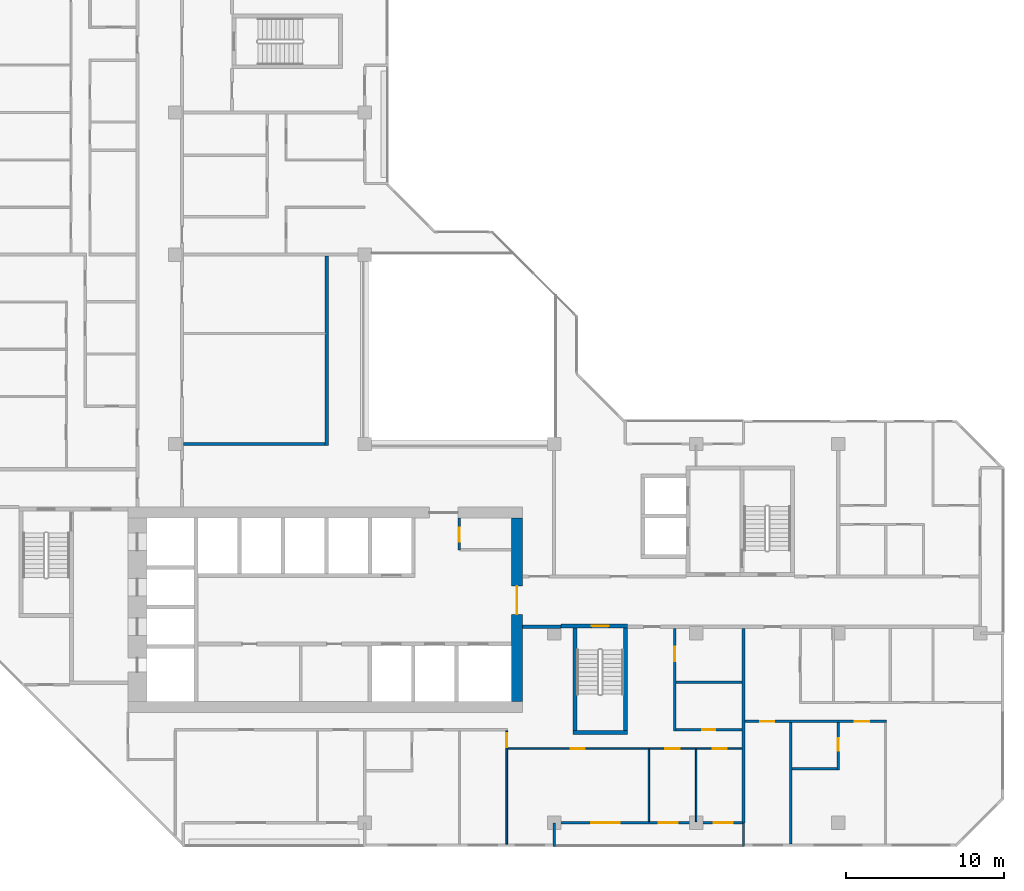
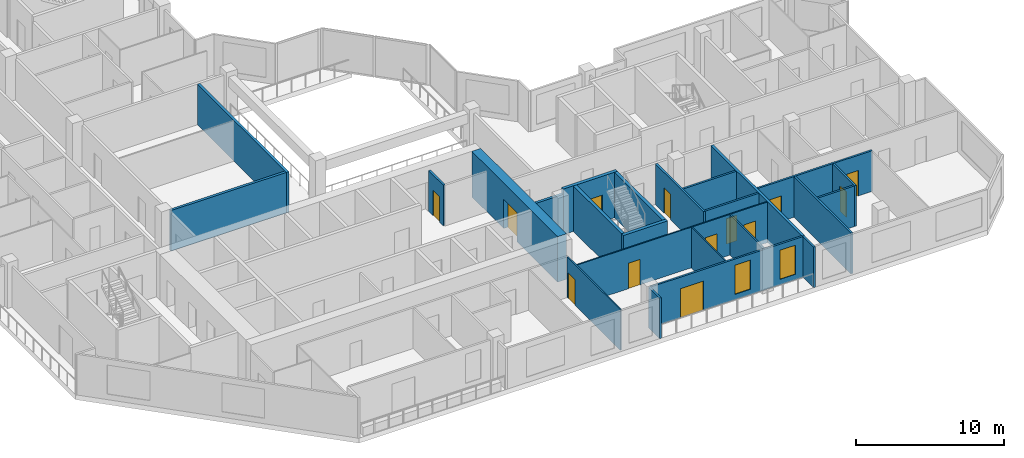
# One storey, part 6 of 15: 24 walls, 13 doors, 2 windows, 15 openings.
"""IFC4 building model written with IfcOpenShell, lengths in metres."""

from ifc_helpers import new_model, si_unit, direction, frame, frame_2d, origin, place, context, subcontext, project, spatial, rectangle, extrude, material, layer, layer_set, type_object, element, fill, save


model = new_model("IFC4")

# Units and contexts
model_context = context("Model", 3, precision=1e-05, world=origin(), true_north=direction((0.0, 1.0)))
body_context = subcontext(model_context, "Body", "Model", "MODEL_VIEW")
ifc_project = project(units=[si_unit("LENGTHUNIT", "METRE"), si_unit("AREAUNIT", "SQUARE_METRE"), si_unit("VOLUMEUNIT", "CUBIC_METRE"), si_unit("PLANEANGLEUNIT", "RADIAN"), si_unit("MASSUNIT", "GRAM", prefix="KILO")], contexts=[model_context])

# Site, building, storey
site_placement = place(None, origin())
site = spatial("IfcSite", under=ifc_project, at=site_placement, CompositionType="ELEMENT")
building_placement = place(site_placement, origin())
building = spatial("IfcBuilding", under=site, at=building_placement, Name="Chenar Terraces", CompositionType="ELEMENT")
storey_placement = place(building_placement, frame((0.0, 0.0, 249.14990234375)))
storey = spatial("IfcBuildingStorey", under=building, at=storey_placement, Name="L59", CompositionType="ELEMENT", Elevation=249.14990234375)

# Wall, opening, door
ifc_material_1 = material(Name="Gypsum board on steel studs", Category="steel")
ifc_layer_1 = layer(ifc_material_1, 0.14990234375)
ifc_layer_set_1 = layer_set([ifc_layer_1], Name="Gypsum board on steel studs")
wall_type_1 = type_object("IfcWallType", Name="Core partition 150 gypsum board", PredefinedType="PARTITIONING", material=ifc_layer_set_1)
wall_1_placement = place(storey_placement, frame((30.0, 17.300048828125, 0.0), z_axis=(0.0, 0.0, 1.0), x_axis=(0.0, 1.0, 0.0)))
wall_1 = element("IfcWall", 1, at=wall_1_placement, inside=storey, type_object=wall_type_1, Name="Core partition CP1 vestibule room west wall", PredefinedType="PARTITIONING", context=body_context, shape_type="SweptSolid", body=[
    extrude(rectangle(XDim=2.0, YDim=0.14990234375, at=frame_2d((1.0, 0.0))), origin(), (0.0, 0.0, 1.0), 3.35009765625),
])
opening_1_placement = place(wall_1_placement, frame((0.5, 0.0, 0.0)))
opening_1 = element("IfcOpeningElement", 2, at=opening_1_placement, cuts=wall_1, Name="Opening DL59-C14", PredefinedType="OPENING", context=body_context, shape_type="SweptSolid", body=[
    extrude(rectangle(XDim=0.89990234375, YDim=2.10009765625, at=frame_2d((0.449951171875, 1.050048828125))), frame((0.0, 0.0849609375, 0.0), z_axis=(0.0, -1.0, 0.0), x_axis=(1.0, 0.0, 0.0)), (0.0, 0.0, 1.0), 0.169921875),
])
ifc_material_2 = material(Name="Steel-framed fire-resisting door leaf", Category="steel")
door_type_1 = type_object("IfcDoorType", Name="Riser fire door FD60 900 x 2100", OperationType="SINGLE_SWING_LEFT", PredefinedType="DOOR", material=ifc_material_2)
door_1_placement = place(opening_1_placement, frame((0.89990234375, 0.0, 0.0), z_axis=(0.0, 0.0, 1.0), x_axis=(-1.0, 0.0, 0.0)))
door_1 = element("IfcDoor", 3, at=door_1_placement, inside=storey, type_object=door_type_1, Name="Core room door DL59-C14", OperationType="SINGLE_SWING_RIGHT", OverallHeight=2.10009765625, OverallWidth=0.89990234375, PredefinedType="DOOR", context=body_context, shape_type="SweptSolid", body=[
    extrude(rectangle(XDim=0.89990234375, YDim=2.10009765625, at=frame_2d((0.449951171875, 1.050048828125))), frame((0.0, 0.02490234375, 0.0), z_axis=(0.0, -1.0, 0.0), x_axis=(1.0, 0.0, 0.0)), (0.0, 0.0, 1.0), 0.050048828125),
])
fill(opening_1, door_1)

# Wall
ifc_material_3 = material(Name="Concrete C60/75", Category="concrete")
ifc_layer_2 = layer(ifc_material_3, 0.25)
ifc_layer_set_2 = layer_set([ifc_layer_2], Name="Concrete C60/75")
wall_type_2 = type_object("IfcWallType", Name="Core wall 250 Concrete C60/75", PredefinedType="SHEAR", material=ifc_layer_set_2)
wall_2_placement = place(storey_placement, frame((37.199951171875, 5.72509765625, 0.0), z_axis=(0.0, 0.0, 1.0), x_axis=(1.0, 0.0, 0.0)))
element("IfcWall", 4, at=wall_2_placement, inside=storey, type_object=wall_type_2, Name="Core wall ST2_S L59", PredefinedType="SHEAR", context=body_context, shape_type="SweptSolid", body=[
    extrude(rectangle(XDim=3.449951171875, YDim=0.25, at=frame_2d((1.72509765625, 0.0))), origin(), (0.0, 0.0, 1.0), 3.75),
])

# Wall, opening, door
wall_3_placement = place(storey_placement, frame((36.425048828125, 12.47509765625, 0.0), z_axis=(0.0, 0.0, 1.0), x_axis=(1.0, 0.0, 0.0)))
wall_3 = element("IfcWall", 5, at=wall_3_placement, inside=storey, type_object=wall_type_2, Name="Core wall ST2_N L59", PredefinedType="SHEAR", context=body_context, shape_type="SweptSolid", body=[
    extrude(rectangle(XDim=4.224853515625, YDim=0.25, at=frame_2d((2.1123046875, 0.0))), origin(), (0.0, 0.0, 1.0), 3.75),
])
opening_2_placement = place(wall_3_placement, frame((1.949951171875, 0.0, 0.0)))
opening_2 = element("IfcOpeningElement", 6, at=opening_2_placement, cuts=wall_3, Name="Opening DL59-C7", PredefinedType="OPENING", context=body_context, shape_type="SweptSolid", body=[
    extrude(rectangle(XDim=1.10009765625, YDim=2.199951171875, at=frame_2d((0.550048828125, 1.10009765625))), frame((0.0, 0.135009765625, 0.0), z_axis=(0.0, -1.0, 0.0), x_axis=(1.0, 0.0, 0.0)), (0.0, 0.0, 1.0), 0.27001953125),
])
ifc_material_4 = material(Name="Steel-framed fire-resisting door leaf", Category="steel")
door_type_2 = type_object("IfcDoorType", Name="Stair fire door FD60 1100 x 2200", OperationType="SINGLE_SWING_LEFT", PredefinedType="DOOR", material=ifc_material_4)
door_2_placement = place(opening_2_placement, frame((1.10009765625, 0.0, 0.0), z_axis=(0.0, 0.0, 1.0), x_axis=(-1.0, 0.0, 0.0)))
door_2 = element("IfcDoor", 7, at=door_2_placement, inside=storey, type_object=door_type_2, Name="Stair door DL59-C7", OperationType="SINGLE_SWING_LEFT", OverallHeight=2.199951171875, OverallWidth=1.10009765625, PredefinedType="DOOR", context=body_context, shape_type="SweptSolid", body=[
    extrude(rectangle(XDim=1.10009765625, YDim=2.199951171875, at=frame_2d((0.550048828125, 1.10009765625))), frame((0.0, 0.02490234375, 0.0), z_axis=(0.0, -1.0, 0.0), x_axis=(1.0, 0.0, 0.0)), (0.0, 0.0, 1.0), 0.050048828125),
])
fill(opening_2, door_2)

# Walls
for number, where, z_axis, x_axis, name in (
    (8, (37.324951171875, 5.85009765625, 0.0), (0.0, 0.0, 1.0), (0.0, 1.0, 0.0), "Core wall ST2_W L59"),
    (9, (40.52490234375, 5.85009765625, 0.0), (0.0, 0.0, 1.0), (0.0, 1.0, 0.0), "Core wall ST2_E L59"),
):
    element("IfcWall", number, at=place(storey_placement, frame(where, z_axis=z_axis, x_axis=x_axis)), inside=storey, type_object=wall_type_2, Name=name, PredefinedType="SHEAR", context=body_context, shape_type="SweptSolid", body=[
        extrude(rectangle(XDim=6.5, YDim=0.25, at=frame_2d((3.25, 0.0))), origin(), (0.0, 0.0, 1.0), 3.75),
    ])

# Wall, opening, door
ifc_material_5 = material(Name="Concrete C60/75", Category="concrete")
ifc_layer_3 = layer(ifc_material_5, 0.699951171875)
ifc_layer_set_3 = layer_set([ifc_layer_3], Name="Concrete C60/75")
wall_type_3 = type_object("IfcWallType", Name="Core wall 700 Concrete C60/75", PredefinedType="SHEAR", material=ifc_layer_set_3)
wall_4_placement = place(storey_placement, frame((33.64990234375, 7.699951171875, 0.0), z_axis=(0.0, 0.0, 1.0), x_axis=(0.0, 1.0, 0.0)))
wall_4 = element("IfcWall", 10, at=wall_4_placement, inside=storey, type_object=wall_type_3, Name="Core wall E L59", PredefinedType="SHEAR", context=body_context, shape_type="SweptSolid", body=[
    extrude(rectangle(XDim=11.60009765625, YDim=0.699951171875, at=frame_2d((5.800048828125, 0.0))), origin(), (0.0, 0.0, 1.0), 3.75),
])
opening_3_placement = place(wall_4_placement, frame((5.5, 0.0, 0.0)))
opening_3 = element("IfcOpeningElement", 11, at=opening_3_placement, cuts=wall_4, Name="Opening DL59-C1", PredefinedType="OPENING", context=body_context, shape_type="SweptSolid", body=[
    extrude(rectangle(XDim=1.800048828125, YDim=2.39990234375, at=frame_2d((0.89990234375, 1.199951171875))), frame((0.0, 0.35986328125, 0.0), z_axis=(0.0, -1.0, 0.0), x_axis=(1.0, 0.0, 0.0)), (0.0, 0.0, 1.0), 0.719970703125),
])
ifc_material_6 = material(Name="Steel-framed fire-resisting door leaf", Category="steel")
door_type_3 = type_object("IfcDoorType", Name="Core entrance double fire door FD60 1800 x 2400", OperationType="DOUBLE_DOOR_SINGLE_SWING", PredefinedType="DOOR", material=ifc_material_6)
door_3_placement = place(opening_3_placement, origin())
door_3 = element("IfcDoor", 12, at=door_3_placement, inside=storey, type_object=door_type_3, Name="Core door DL59-C1", OperationType="DOUBLE_DOOR_SINGLE_SWING", OverallHeight=2.39990234375, OverallWidth=1.800048828125, PredefinedType="DOOR", context=body_context, shape_type="SweptSolid", body=[
    extrude(rectangle(XDim=1.800048828125, YDim=2.39990234375, at=frame_2d((0.89990234375, 1.199951171875))), frame((0.0, 0.02490234375, 0.0), z_axis=(0.0, -1.0, 0.0), x_axis=(1.0, 0.0, 0.0)), (0.0, 0.0, 1.0), 0.050048828125),
])
fill(opening_3, door_3)

# Walls
ifc_material_7 = material(Name="Gypsum board on steel studs with fire boards", Category="steel")
ifc_layer_4 = layer(ifc_material_7, 0.199951171875)
ifc_layer_set_4 = layer_set([ifc_layer_4], Name="Gypsum board on steel studs with fire boards")
wall_type_4 = type_object("IfcWallType", Name="Corridor wall 200", PredefinedType="PARTITIONING", material=ifc_layer_set_4)
wall_5_placement = place(storey_placement, frame((12.52490234375, 24.0, 0.0), z_axis=(0.0, 0.0, 1.0), x_axis=(1.0, 0.0, 0.0)))
element("IfcWall", 13, at=wall_5_placement, inside=storey, type_object=wall_type_4, Name="Partition L59-037", PredefinedType="PARTITIONING", context=body_context, shape_type="SweptSolid", body=[
    extrude(rectangle(XDim=8.97509765625, YDim=0.199951171875, at=frame_2d((4.487548828125, 0.0))), origin(), (0.0, 0.0, 1.0), 3.35009765625),
])
wall_6_placement = place(storey_placement, frame((21.60009765625, 23.89990234375, 0.0), z_axis=(0.0, 0.0, 1.0), x_axis=(0.0, 1.0, 0.0)))
element("IfcWall", 14, at=wall_6_placement, inside=storey, type_object=wall_type_4, Name="Partition L59-057", PredefinedType="PARTITIONING", context=body_context, shape_type="SweptSolid", body=[
    extrude(rectangle(XDim=12.0, YDim=0.199951171875, at=frame_2d((6.0, 0.0))), origin(), (0.0, 0.0, 1.0), 3.35009765625),
])
wall_7_placement = place(storey_placement, frame((34.0, 12.425048828125, 0.0), z_axis=(0.0, 0.0, 1.0), x_axis=(1.0, 0.0, 0.0)))
element("IfcWall", 15, at=wall_7_placement, inside=storey, type_object=wall_type_4, Name="Partition L59-064", PredefinedType="PARTITIONING", context=body_context, shape_type="SweptSolid", body=[
    extrude(rectangle(XDim=2.426025390625, YDim=0.199951171875, at=frame_2d((1.212890625, 0.0))), origin(), (0.0, 0.0, 1.0), 3.35009765625),
])

# Wall, openings, windows, door
ifc_material_8 = material(Name="Aluminium framed glazing", Category="aluminium")
ifc_layer_5 = layer(ifc_material_8, 0.14990234375)
ifc_layer_set_5 = layer_set([ifc_layer_5], Name="Aluminium framed glazing")
wall_type_5 = type_object("IfcWallType", Name="Glazed loggia back wall 150", PredefinedType="SOLIDWALL", material=ifc_layer_set_5)
wall_8_placement = place(storey_placement, frame((36.074951171875, 0.0, 0.0), z_axis=(0.0, 0.0, 1.0), x_axis=(1.0, 0.0, 0.0)))
wall_8 = element("IfcWall", 16, at=wall_8_placement, inside=storey, type_object=wall_type_5, Name="Glazed loggia back wall", PredefinedType="SOLIDWALL", context=body_context, shape_type="SweptSolid", body=[
    extrude(rectangle(XDim=11.85009765625, YDim=0.14990234375, at=frame_2d((5.925048828125, 0.0))), origin(), (0.0, 0.0, 1.0), 3.35009765625),
])
opening_4_placement = place(wall_8_placement, frame((2.28759765625, 0.0, 0.0)))
opening_4 = element("IfcOpeningElement", 17, at=opening_4_placement, cuts=wall_8, Name="Opening DL59-G6", PredefinedType="OPENING", context=body_context, shape_type="SweptSolid", body=[
    extrude(rectangle(XDim=1.800048828125, YDim=2.39990234375, at=frame_2d((0.89990234375, 1.199951171875))), frame((0.0, 0.0849609375, 0.0), z_axis=(0.0, -1.0, 0.0), x_axis=(1.0, 0.0, 0.0)), (0.0, 0.0, 1.0), 0.169921875),
])
opening_5_placement = place(wall_8_placement, frame((6.5625, 0.0, 0.449951171875)))
opening_5 = element("IfcOpeningElement", 18, at=opening_5_placement, cuts=wall_8, Name="Opening W120x240", PredefinedType="OPENING", context=body_context, shape_type="SweptSolid", body=[
    extrude(rectangle(XDim=1.199951171875, YDim=2.39990234375, at=frame_2d((0.60009765625, 1.199951171875))), frame((0.0, 0.0849609375, 0.0), z_axis=(0.0, -1.0, 0.0), x_axis=(1.0, 0.0, 0.0)), (0.0, 0.0, 1.0), 0.169921875),
])
opening_6_placement = place(wall_8_placement, frame((10.050048828125, 0.0, 0.449951171875)))
opening_6 = element("IfcOpeningElement", 19, at=opening_6_placement, cuts=wall_8, Name="Opening W120x240", PredefinedType="OPENING", context=body_context, shape_type="SweptSolid", body=[
    extrude(rectangle(XDim=1.199951171875, YDim=2.39990234375, at=frame_2d((0.60009765625, 1.199951171875))), frame((0.0, 0.0849609375, 0.0), z_axis=(0.0, -1.0, 0.0), x_axis=(1.0, 0.0, 0.0)), (0.0, 0.0, 1.0), 0.169921875),
])
ifc_material_9 = material(Name="Low emissivity double glazing, aluminium frame", Category="aluminium")
window_type = type_object("IfcWindowType", Name="Fixed light 1200 x 2400", PartitioningType="SINGLE_PANEL", PredefinedType="WINDOW", material=ifc_material_9)
window_1_placement = place(opening_5_placement, origin())
window_1 = element("IfcWindow", 20, at=window_1_placement, inside=storey, type_object=window_type, Name="Window", OverallHeight=2.39990234375, OverallWidth=1.199951171875, PartitioningType="SINGLE_PANEL", PredefinedType="WINDOW", context=body_context, shape_type="SweptSolid", body=[
    extrude(rectangle(XDim=1.199951171875, YDim=2.39990234375, at=frame_2d((0.60009765625, 1.199951171875))), frame((0.0, 0.030029296875, 0.0), z_axis=(0.0, -1.0, 0.0), x_axis=(1.0, 0.0, 0.0)), (0.0, 0.0, 1.0), 0.06005859375),
])
fill(opening_5, window_1)
window_2_placement = place(opening_6_placement, origin())
window_2 = element("IfcWindow", 21, at=window_2_placement, inside=storey, type_object=window_type, Name="Window", OverallHeight=2.39990234375, OverallWidth=1.199951171875, PartitioningType="SINGLE_PANEL", PredefinedType="WINDOW", context=body_context, shape_type="SweptSolid", body=[
    extrude(rectangle(XDim=1.199951171875, YDim=2.39990234375, at=frame_2d((0.60009765625, 1.199951171875))), frame((0.0, 0.030029296875, 0.0), z_axis=(0.0, -1.0, 0.0), x_axis=(1.0, 0.0, 0.0)), (0.0, 0.0, 1.0), 0.06005859375),
])
fill(opening_6, window_2)
ifc_material_10 = material(Name="Low emissivity double glazing, aluminium frame", Category="aluminium")
door_type_4 = type_object("IfcDoorType", Name="Loggia glazed double door 1800 x 2400", OperationType="DOUBLE_DOOR_SINGLE_SWING", PredefinedType="DOOR", material=ifc_material_10)
door_4_placement = place(opening_4_placement, frame((1.800048828125, 0.0, 0.0), z_axis=(0.0, 0.0, 1.0), x_axis=(-1.0, 0.0, 0.0)))
door_4 = element("IfcDoor", 22, at=door_4_placement, inside=storey, type_object=door_type_4, Name="Loggia glazed door", OperationType="DOUBLE_DOOR_SINGLE_SWING", OverallHeight=2.39990234375, OverallWidth=1.800048828125, PredefinedType="DOOR", context=body_context, shape_type="SweptSolid", body=[
    extrude(rectangle(XDim=1.800048828125, YDim=2.39990234375, at=frame_2d((0.89990234375, 1.199951171875))), frame((0.0, 0.02490234375, 0.0), z_axis=(0.0, -1.0, 0.0), x_axis=(1.0, 0.0, 0.0)), (0.0, 0.0, 1.0), 0.050048828125),
])
fill(opening_4, door_4)

# Wall, opening, door
ifc_material_11 = material(Name="Gypsum board on steel studs", Category="steel")
ifc_layer_6 = layer(ifc_material_11, 0.10009765625)
ifc_layer_set_6 = layer_set([ifc_layer_6], Name="Gypsum board on steel studs")
wall_type_6 = type_object("IfcWallType", Name="Gypsum partition 100", PredefinedType="PARTITIONING", material=ifc_layer_set_6)
wall_9_placement = place(storey_placement, frame((33.0, -1.35009765625, 0.0), z_axis=(0.0, 0.0, 1.0), x_axis=(0.0, 1.0, 0.0)))
wall_9 = element("IfcWall", 23, at=wall_9_placement, inside=storey, type_object=wall_type_6, Name="Partition L59-062", PredefinedType="PARTITIONING", context=body_context, shape_type="SweptSolid", body=[
    extrude(rectangle(XDim=7.175048828125, YDim=0.10009765625, at=frame_2d((3.58740234375, 0.0))), origin(), (0.0, 0.0, 1.0), 3.35009765625),
])
opening_7_placement = place(wall_9_placement, frame((6.125, 0.0, 0.0)))
opening_7 = element("IfcOpeningElement", 24, at=opening_7_placement, cuts=wall_9, Name="Opening DL59-49", PredefinedType="OPENING", context=body_context, shape_type="SweptSolid", body=[
    extrude(rectangle(XDim=0.89990234375, YDim=2.10009765625, at=frame_2d((0.449951171875, 1.050048828125))), frame((0.0, 0.06005859375, 0.0), z_axis=(0.0, -1.0, 0.0), x_axis=(1.0, 0.0, 0.0)), (0.0, 0.0, 1.0), 0.1201171875),
])
ifc_material_12 = material(Name="Veneered timber door leaf", Category="wood")
door_type_5 = type_object("IfcDoorType", Name="Door 900 x 2100", OperationType="SINGLE_SWING_LEFT", PredefinedType="DOOR", material=ifc_material_12)
door_5_placement = place(opening_7_placement, origin())
door_5 = element("IfcDoor", 25, at=door_5_placement, inside=storey, type_object=door_type_5, Name="Door DL59-49", OperationType="SINGLE_SWING_RIGHT", OverallHeight=2.10009765625, OverallWidth=0.89990234375, PredefinedType="DOOR", context=body_context, shape_type="SweptSolid", body=[
    extrude(rectangle(XDim=0.89990234375, YDim=2.10009765625, at=frame_2d((0.449951171875, 1.050048828125))), frame((0.0, 0.02490234375, 0.0), z_axis=(0.0, -1.0, 0.0), x_axis=(1.0, 0.0, 0.0)), (0.0, 0.0, 1.0), 0.050048828125),
])
fill(opening_7, door_5)

# Wall, openings, doors
wall_10_placement = place(storey_placement, frame((33.050048828125, 4.699951171875, 0.0), z_axis=(0.0, 0.0, 1.0), x_axis=(1.0, 0.0, 0.0)))
wall_10 = element("IfcWall", 26, at=wall_10_placement, inside=storey, type_object=wall_type_6, Name="Partition L59-063", PredefinedType="PARTITIONING", context=body_context, shape_type="SweptSolid", body=[
    extrude(rectangle(XDim=14.849853515625, YDim=0.10009765625, at=frame_2d((7.4248046875, 0.0))), origin(), (0.0, 0.0, 1.0), 3.35009765625),
])
opening_8_placement = place(wall_10_placement, frame((10.0, 0.0, 0.0)))
opening_8 = element("IfcOpeningElement", 27, at=opening_8_placement, cuts=wall_10, Name="Opening DL59-50", PredefinedType="OPENING", context=body_context, shape_type="SweptSolid", body=[
    extrude(rectangle(XDim=0.89990234375, YDim=2.10009765625, at=frame_2d((0.449951171875, 1.050048828125))), frame((0.0, 0.06005859375, 0.0), z_axis=(0.0, -1.0, 0.0), x_axis=(1.0, 0.0, 0.0)), (0.0, 0.0, 1.0), 0.1201171875),
])
opening_9_placement = place(wall_10_placement, frame((13.0, 0.0, 0.0)))
opening_9 = element("IfcOpeningElement", 28, at=opening_9_placement, cuts=wall_10, Name="Opening DL59-51", PredefinedType="OPENING", context=body_context, shape_type="SweptSolid", body=[
    extrude(rectangle(XDim=0.89990234375, YDim=2.10009765625, at=frame_2d((0.449951171875, 1.050048828125))), frame((0.0, 0.06005859375, 0.0), z_axis=(0.0, -1.0, 0.0), x_axis=(1.0, 0.0, 0.0)), (0.0, 0.0, 1.0), 0.1201171875),
])
opening_10_placement = place(wall_10_placement, frame((4.0, 0.0, 0.0)))
opening_10 = element("IfcOpeningElement", 29, at=opening_10_placement, cuts=wall_10, Name="Opening DL59-59", PredefinedType="OPENING", context=body_context, shape_type="SweptSolid", body=[
    extrude(rectangle(XDim=0.89990234375, YDim=2.10009765625, at=frame_2d((0.449951171875, 1.050048828125))), frame((0.0, 0.06005859375, 0.0), z_axis=(0.0, -1.0, 0.0), x_axis=(1.0, 0.0, 0.0)), (0.0, 0.0, 1.0), 0.1201171875),
])
door_6_placement = place(opening_8_placement, frame((0.89990234375, 0.0, 0.0), z_axis=(0.0, 0.0, 1.0), x_axis=(-1.0, 0.0, 0.0)))
door_6 = element("IfcDoor", 30, at=door_6_placement, inside=storey, type_object=door_type_5, Name="Door DL59-50", OperationType="SINGLE_SWING_LEFT", OverallHeight=2.10009765625, OverallWidth=0.89990234375, PredefinedType="DOOR", context=body_context, shape_type="SweptSolid", body=[
    extrude(rectangle(XDim=0.89990234375, YDim=2.10009765625, at=frame_2d((0.449951171875, 1.050048828125))), frame((0.0, 0.02490234375, 0.0), z_axis=(0.0, -1.0, 0.0), x_axis=(1.0, 0.0, 0.0)), (0.0, 0.0, 1.0), 0.050048828125),
])
fill(opening_8, door_6)
door_7_placement = place(opening_9_placement, frame((0.89990234375, 0.0, 0.0), z_axis=(0.0, 0.0, 1.0), x_axis=(-1.0, 0.0, 0.0)))
door_7 = element("IfcDoor", 31, at=door_7_placement, inside=storey, type_object=door_type_5, Name="Door DL59-51", OperationType="SINGLE_SWING_LEFT", OverallHeight=2.10009765625, OverallWidth=0.89990234375, PredefinedType="DOOR", context=body_context, shape_type="SweptSolid", body=[
    extrude(rectangle(XDim=0.89990234375, YDim=2.10009765625, at=frame_2d((0.449951171875, 1.050048828125))), frame((0.0, 0.02490234375, 0.0), z_axis=(0.0, -1.0, 0.0), x_axis=(1.0, 0.0, 0.0)), (0.0, 0.0, 1.0), 0.050048828125),
])
fill(opening_9, door_7)
door_8_placement = place(opening_10_placement, frame((0.89990234375, 0.0, 0.0), z_axis=(0.0, 0.0, 1.0), x_axis=(-1.0, 0.0, 0.0)))
door_8 = element("IfcDoor", 32, at=door_8_placement, inside=storey, type_object=door_type_5, Name="Door DL59-59", OperationType="SINGLE_SWING_LEFT", OverallHeight=2.10009765625, OverallWidth=0.89990234375, PredefinedType="DOOR", context=body_context, shape_type="SweptSolid", body=[
    extrude(rectangle(XDim=0.89990234375, YDim=2.10009765625, at=frame_2d((0.449951171875, 1.050048828125))), frame((0.0, 0.02490234375, 0.0), z_axis=(0.0, -1.0, 0.0), x_axis=(1.0, 0.0, 0.0)), (0.0, 0.0, 1.0), 0.050048828125),
])
fill(opening_10, door_8)

# Walls
for number, where, z_axis, x_axis, name in (
    (33, (42.0, 0.073974609375, 0.0), (0.0, 0.0, 1.0), (0.0, 1.0, 0.0), "Partition L59-068"),
    (34, (45.0, 0.073974609375, 0.0), (0.0, 0.0, 1.0), (0.0, 1.0, 0.0), "Partition L59-072"),
):
    element("IfcWall", number, at=place(storey_placement, frame(where, z_axis=z_axis, x_axis=x_axis)), inside=storey, type_object=wall_type_6, Name=name, PredefinedType="PARTITIONING", context=body_context, shape_type="SweptSolid", body=[
        extrude(rectangle(XDim=4.575927734375, YDim=0.10009765625, at=frame_2d((2.2880859375, 0.0))), origin(), (0.0, 0.0, 1.0), 3.35009765625),
    ])
ifc_material_13 = material(Name="Terracotta cladding on insulated backing", Category="masonry")
ifc_layer_7 = layer(ifc_material_13, 0.14990234375)
ifc_layer_set_7 = layer_set([ifc_layer_7], Name="Terracotta cladding on insulated backing")
wall_type_7 = type_object("IfcWallType", Name="Loggia return wall 150", PredefinedType="SOLIDWALL", material=ifc_layer_set_7)
for number, where, z_axis, x_axis, name in (
    (35, (36.0, -1.5, 0.0), (0.0, 0.0, 1.0), (0.0, 1.0, 0.0), "Loggia return wall"),
    (36, (48.0, -1.5, 0.0), (0.0, 0.0, 1.0), (0.0, 1.0, 0.0), "Loggia return wall"),
):
    element("IfcWall", number, at=place(storey_placement, frame(where, z_axis=z_axis, x_axis=x_axis)), inside=storey, type_object=wall_type_7, Name=name, PredefinedType="SOLIDWALL", context=body_context, shape_type="SweptSolid", body=[
        extrude(rectangle(XDim=1.5, YDim=0.14990234375, at=frame_2d((0.75, 0.0))), origin(), (0.0, 0.0, 1.0), 3.35009765625),
    ])
ifc_material_14 = material(Name="Twin gypsum board on steel studs with mineral wool", Category="steel")
ifc_layer_8 = layer(ifc_material_14, 0.199951171875)
ifc_layer_set_8 = layer_set([ifc_layer_8], Name="Twin gypsum board on steel studs with mineral wool")
wall_type_8 = type_object("IfcWallType", Name="Unit demising wall 200", PredefinedType="PARTITIONING", material=ifc_layer_set_8)
wall_11_placement = place(storey_placement, frame((48.0, 0.0, 0.0), z_axis=(0.0, 0.0, 1.0), x_axis=(0.0, 1.0, 0.0)))
element("IfcWall", 37, at=wall_11_placement, inside=storey, type_object=wall_type_8, Name="Partition L59-074", PredefinedType="PARTITIONING", context=body_context, shape_type="SweptSolid", body=[
    extrude(rectangle(XDim=12.324951171875, YDim=0.199951171875, at=frame_2d((6.16259765625, 0.0))), origin(), (0.0, 0.0, 1.0), 3.35009765625),
])

# Wall, opening, door
ifc_material_15 = material(Name="Moisture-resistant gypsum board on steel studs", Category="steel")
ifc_layer_9 = layer(ifc_material_15, 0.14990234375)
ifc_layer_set_9 = layer_set([ifc_layer_9], Name="Moisture-resistant gypsum board on steel studs")
wall_type_9 = type_object("IfcWallType", Name="Wet-room partition 150", PredefinedType="PARTITIONING", material=ifc_layer_set_9)
wall_12_placement = place(storey_placement, frame((43.64990234375, 5.824951171875, 0.0), z_axis=(0.0, 0.0, 1.0), x_axis=(0.0, 1.0, 0.0)))
wall_12 = element("IfcWall", 38, at=wall_12_placement, inside=storey, type_object=wall_type_9, Name="Partition L59-069", PredefinedType="PARTITIONING", context=body_context, shape_type="SweptSolid", body=[
    extrude(rectangle(XDim=6.5, YDim=0.14990234375, at=frame_2d((3.25, 0.0))), origin(), (0.0, 0.0, 1.0), 3.35009765625),
])
opening_11_placement = place(wall_12_placement, frame((4.425048828125, 0.0, 0.0)))
opening_11 = element("IfcOpeningElement", 39, at=opening_11_placement, cuts=wall_12, Name="Opening DL59-57", PredefinedType="OPENING", context=body_context, shape_type="SweptSolid", body=[
    extrude(rectangle(XDim=0.89990234375, YDim=2.10009765625, at=frame_2d((0.449951171875, 1.050048828125))), frame((0.0, 0.0849609375, 0.0), z_axis=(0.0, -1.0, 0.0), x_axis=(1.0, 0.0, 0.0)), (0.0, 0.0, 1.0), 0.169921875),
])
door_9_placement = place(opening_11_placement, frame((0.89990234375, 0.0, 0.0), z_axis=(0.0, 0.0, 1.0), x_axis=(-1.0, 0.0, 0.0)))
door_9 = element("IfcDoor", 40, at=door_9_placement, inside=storey, type_object=door_type_5, Name="Door DL59-57", OperationType="SINGLE_SWING_LEFT", OverallHeight=2.10009765625, OverallWidth=0.89990234375, PredefinedType="DOOR", context=body_context, shape_type="SweptSolid", body=[
    extrude(rectangle(XDim=0.89990234375, YDim=2.10009765625, at=frame_2d((0.449951171875, 1.050048828125))), frame((0.0, 0.02490234375, 0.0), z_axis=(0.0, -1.0, 0.0), x_axis=(1.0, 0.0, 0.0)), (0.0, 0.0, 1.0), 0.050048828125),
])
fill(opening_11, door_9)

wall_13_placement = place(storey_placement, frame((43.72509765625, 5.89990234375, 0.0), z_axis=(0.0, 0.0, 1.0), x_axis=(1.0, 0.0, 0.0)))
wall_13 = element("IfcWall", 41, at=wall_13_placement, inside=storey, type_object=wall_type_9, Name="Partition L59-070", PredefinedType="PARTITIONING", context=body_context, shape_type="SweptSolid", body=[
    extrude(rectangle(XDim=4.1748046875, YDim=0.14990234375, at=frame_2d((2.08740234375, 0.0))), origin(), (0.0, 0.0, 1.0), 3.35009765625),
])
opening_12_placement = place(wall_13_placement, frame((1.675048828125, 0.0, 0.0)))
opening_12 = element("IfcOpeningElement", 42, at=opening_12_placement, cuts=wall_13, Name="Opening DL59-47", PredefinedType="OPENING", context=body_context, shape_type="SweptSolid", body=[
    extrude(rectangle(XDim=0.800048828125, YDim=2.10009765625, at=frame_2d((0.39990234375, 1.050048828125))), frame((0.0, 0.0849609375, 0.0), z_axis=(0.0, -1.0, 0.0), x_axis=(1.0, 0.0, 0.0)), (0.0, 0.0, 1.0), 0.169921875),
])
ifc_material_16 = material(Name="Veneered timber door leaf", Category="wood")
door_type_6 = type_object("IfcDoorType", Name="Door 800 x 2100", OperationType="SINGLE_SWING_LEFT", PredefinedType="DOOR", material=ifc_material_16)
door_10_placement = place(opening_12_placement, origin())
door_10 = element("IfcDoor", 43, at=door_10_placement, inside=storey, type_object=door_type_6, Name="Door DL59-47", OperationType="SINGLE_SWING_LEFT", OverallHeight=2.10009765625, OverallWidth=0.800048828125, PredefinedType="DOOR", context=body_context, shape_type="SweptSolid", body=[
    extrude(rectangle(XDim=0.800048828125, YDim=2.10009765625, at=frame_2d((0.39990234375, 1.050048828125))), frame((0.0, 0.02490234375, 0.0), z_axis=(0.0, -1.0, 0.0), x_axis=(1.0, 0.0, 0.0)), (0.0, 0.0, 1.0), 0.050048828125),
])
fill(opening_12, door_10)

# Wall
wall_14_placement = place(storey_placement, frame((43.72509765625, 8.89990234375, 0.0), z_axis=(0.0, 0.0, 1.0), x_axis=(1.0, 0.0, 0.0)))
element("IfcWall", 44, at=wall_14_placement, inside=storey, type_object=wall_type_9, Name="Partition L59-071", PredefinedType="PARTITIONING", context=body_context, shape_type="SweptSolid", body=[
    extrude(rectangle(XDim=4.1748046875, YDim=0.14990234375, at=frame_2d((2.08740234375, 0.0))), origin(), (0.0, 0.0, 1.0), 3.35009765625),
])

# Wall, openings, doors
wall_15_placement = place(storey_placement, frame((48.10009765625, 6.425048828125, 0.0), z_axis=(0.0, 0.0, 1.0), x_axis=(1.0, 0.0, 0.0)))
wall_15 = element("IfcWall", 45, at=wall_15_placement, inside=storey, type_object=wall_type_9, Name="Partition L59-075", PredefinedType="PARTITIONING", context=body_context, shape_type="SweptSolid", body=[
    extrude(rectangle(XDim=8.949951171875, YDim=0.14990234375, at=frame_2d((4.47509765625, 0.0))), origin(), (0.0, 0.0, 1.0), 3.35009765625),
])
opening_13_placement = place(wall_15_placement, frame((0.949951171875, 0.0, 0.0)))
opening_13 = element("IfcOpeningElement", 46, at=opening_13_placement, cuts=wall_15, Name="Opening DL59-10", PredefinedType="OPENING", context=body_context, shape_type="SweptSolid", body=[
    extrude(rectangle(XDim=0.89990234375, YDim=2.10009765625, at=frame_2d((0.449951171875, 1.050048828125))), frame((0.0, 0.0849609375, 0.0), z_axis=(0.0, -1.0, 0.0), x_axis=(1.0, 0.0, 0.0)), (0.0, 0.0, 1.0), 0.169921875),
])
opening_14_placement = place(wall_15_placement, frame((6.949951171875, 0.0, 0.0)))
opening_14 = element("IfcOpeningElement", 47, at=opening_14_placement, cuts=wall_15, Name="Opening DL59-11", PredefinedType="OPENING", context=body_context, shape_type="SweptSolid", body=[
    extrude(rectangle(XDim=0.89990234375, YDim=2.10009765625, at=frame_2d((0.449951171875, 1.050048828125))), frame((0.0, 0.0849609375, 0.0), z_axis=(0.0, -1.0, 0.0), x_axis=(1.0, 0.0, 0.0)), (0.0, 0.0, 1.0), 0.169921875),
])
door_11_placement = place(opening_13_placement, frame((0.89990234375, 0.0, 0.0), z_axis=(0.0, 0.0, 1.0), x_axis=(-1.0, 0.0, 0.0)))
door_11 = element("IfcDoor", 48, at=door_11_placement, inside=storey, type_object=door_type_5, Name="Door DL59-10", OperationType="SINGLE_SWING_LEFT", OverallHeight=2.10009765625, OverallWidth=0.89990234375, PredefinedType="DOOR", context=body_context, shape_type="SweptSolid", body=[
    extrude(rectangle(XDim=0.89990234375, YDim=2.10009765625, at=frame_2d((0.449951171875, 1.050048828125))), frame((0.0, 0.02490234375, 0.0), z_axis=(0.0, -1.0, 0.0), x_axis=(1.0, 0.0, 0.0)), (0.0, 0.0, 1.0), 0.050048828125),
])
fill(opening_13, door_11)
door_12_placement = place(opening_14_placement, frame((0.89990234375, 0.0, 0.0), z_axis=(0.0, 0.0, 1.0), x_axis=(-1.0, 0.0, 0.0)))
door_12 = element("IfcDoor", 49, at=door_12_placement, inside=storey, type_object=door_type_5, Name="Door DL59-11", OperationType="SINGLE_SWING_LEFT", OverallHeight=2.10009765625, OverallWidth=0.89990234375, PredefinedType="DOOR", context=body_context, shape_type="SweptSolid", body=[
    extrude(rectangle(XDim=0.89990234375, YDim=2.10009765625, at=frame_2d((0.449951171875, 1.050048828125))), frame((0.0, 0.02490234375, 0.0), z_axis=(0.0, -1.0, 0.0), x_axis=(1.0, 0.0, 0.0)), (0.0, 0.0, 1.0), 0.050048828125),
])
fill(opening_14, door_12)

# Walls
wall_16_placement = place(storey_placement, frame((51.0, -1.35107421875, 0.0), z_axis=(0.0, 0.0, 1.0), x_axis=(0.0, 1.0, 0.0)))
element("IfcWall", 50, at=wall_16_placement, inside=storey, type_object=wall_type_9, Name="Partition L59-076", PredefinedType="PARTITIONING", context=body_context, shape_type="SweptSolid", body=[
    extrude(rectangle(XDim=7.701171875, YDim=0.14990234375, at=frame_2d((3.8505859375, 0.0))), origin(), (0.0, 0.0, 1.0), 3.35009765625),
])
wall_17_placement = place(storey_placement, frame((51.074951171875, 3.425048828125, 0.0), z_axis=(0.0, 0.0, 1.0), x_axis=(1.0, 0.0, 0.0)))
element("IfcWall", 51, at=wall_17_placement, inside=storey, type_object=wall_type_9, Name="Partition L59-077", PredefinedType="PARTITIONING", context=body_context, shape_type="SweptSolid", body=[
    extrude(rectangle(XDim=2.85009765625, YDim=0.14990234375, at=frame_2d((1.425048828125, 0.0))), origin(), (0.0, 0.0, 1.0), 3.35009765625),
])

# Wall, opening, door
wall_18_placement = place(storey_placement, frame((54.0, 3.35009765625, 0.0), z_axis=(0.0, 0.0, 1.0), x_axis=(0.0, 1.0, 0.0)))
wall_18 = element("IfcWall", 52, at=wall_18_placement, inside=storey, type_object=wall_type_9, Name="Partition L59-082", PredefinedType="PARTITIONING", context=body_context, shape_type="SweptSolid", body=[
    extrude(rectangle(XDim=3.0, YDim=0.14990234375, at=frame_2d((1.5, 0.0))), origin(), (0.0, 0.0, 1.0), 3.35009765625),
])
opening_15_placement = place(wall_18_placement, frame((1.22509765625, 0.0, 0.0)))
opening_15 = element("IfcOpeningElement", 53, at=opening_15_placement, cuts=wall_18, Name="Opening DL59-12", PredefinedType="OPENING", context=body_context, shape_type="SweptSolid", body=[
    extrude(rectangle(XDim=0.800048828125, YDim=2.10009765625, at=frame_2d((0.39990234375, 1.050048828125))), frame((0.0, 0.0849609375, 0.0), z_axis=(0.0, -1.0, 0.0), x_axis=(1.0, 0.0, 0.0)), (0.0, 0.0, 1.0), 0.169921875),
])
door_13_placement = place(opening_15_placement, origin())
door_13 = element("IfcDoor", 54, at=door_13_placement, inside=storey, type_object=door_type_6, Name="Door DL59-12", OperationType="SINGLE_SWING_RIGHT", OverallHeight=2.10009765625, OverallWidth=0.800048828125, PredefinedType="DOOR", context=body_context, shape_type="SweptSolid", body=[
    extrude(rectangle(XDim=0.800048828125, YDim=2.10009765625, at=frame_2d((0.39990234375, 1.050048828125))), frame((0.0, 0.02490234375, 0.0), z_axis=(0.0, -1.0, 0.0), x_axis=(1.0, 0.0, 0.0)), (0.0, 0.0, 1.0), 0.050048828125),
])
fill(opening_15, door_13)

save(model, "model.ifc")
